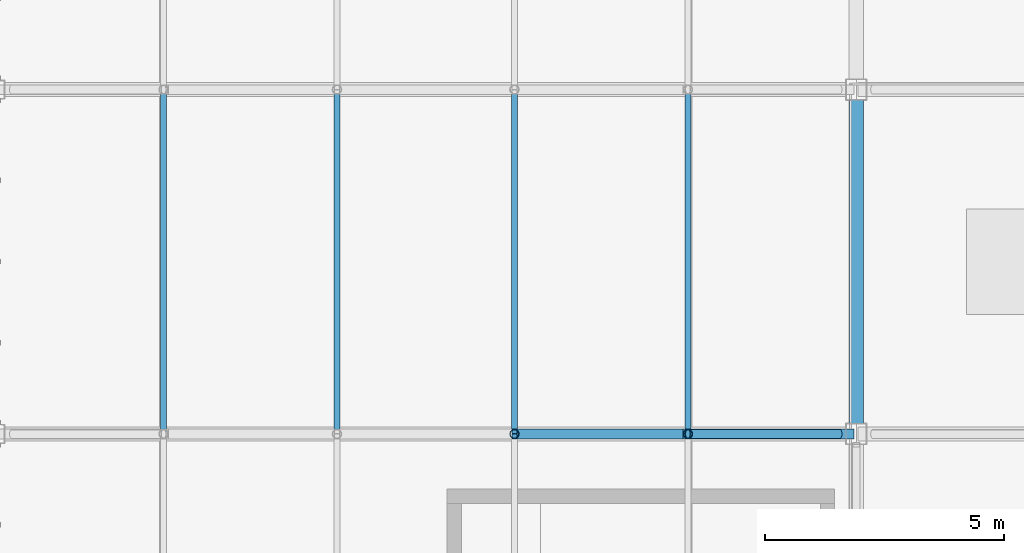
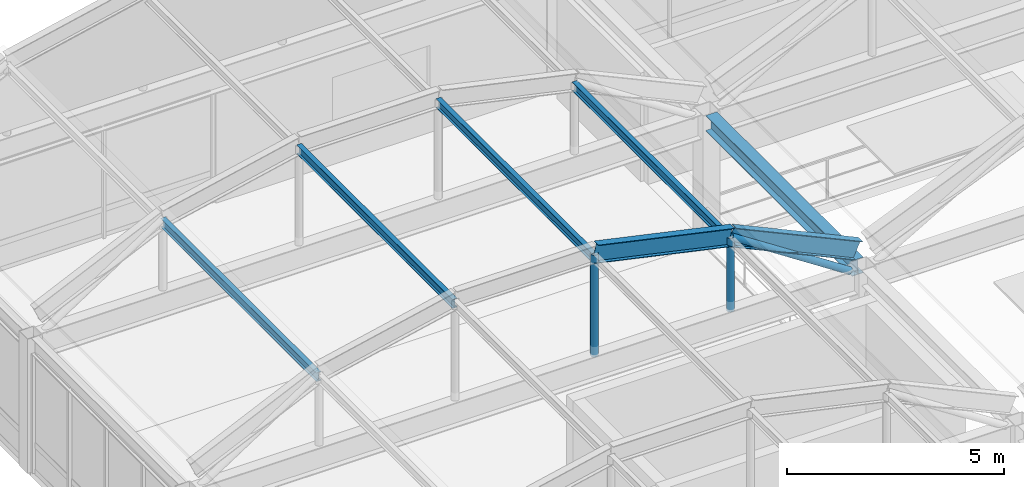
# One storey, part 28 of 106: 9 members, 1 beam.
"""IFC4 building model written with IfcOpenShell, lengths in metres."""

from ifc_helpers import new_model, si_unit, direction, frame, origin, origin_2d, place, context, subcontext, project, spatial, hollow_circle, i_section, extrude, material, material_profile, profile_set, type_object, element, save


model = new_model("IFC4")

# Units and contexts
model_context = context("Model", 3, precision=1e-05, world=origin(), true_north=direction((0.0, 1.0)))
body_context = subcontext(model_context, "Body", "Model", "MODEL_VIEW")
ifc_project = project(units=[si_unit("LENGTHUNIT", "METRE"), si_unit("AREAUNIT", "SQUARE_METRE"), si_unit("VOLUMEUNIT", "CUBIC_METRE"), si_unit("PLANEANGLEUNIT", "RADIAN"), si_unit("MASSUNIT", "GRAM", prefix="KILO")], contexts=[model_context])

# Site, building, storey
site_placement = place(None, origin())
site = spatial("IfcSite", under=ifc_project, at=site_placement, CompositionType="ELEMENT")
building_placement = place(site_placement, origin())
building = spatial("IfcBuilding", under=site, at=building_placement, Name="Kazanami Central Library", CompositionType="ELEMENT")
storey_placement = place(building_placement, frame((0.0, 0.0, 12.800048828125)))
storey = spatial("IfcBuildingStorey", under=building, at=storey_placement, Name="L04", CompositionType="ELEMENT", Elevation=12.800048828125)

# Beam
ifc_material_1 = material(Name="Steel SN490B (325 MPa)", Category="steel")
ifc_material_profile_1 = material_profile(ifc_material_1, i_section(OverallWidth=0.300048828125, OverallDepth=0.43994140625, WebThickness=0.010986328125, FlangeThickness=0.01806640625, at=origin_2d()), Name="H-440x300x11x18")
ifc_profile_set_1 = profile_set([ifc_material_profile_1], Name="Steel SN490B (325 MPa)")
beam_type = type_object("IfcBeamType", Name="BM-G-Y4", PredefinedType="BEAM", material=ifc_profile_set_1)
beam_placement = place(storey_placement, frame((63.0, 79.423095703125, 3.56005859375), z_axis=(0.0, 1.0, 0.0), x_axis=(-1.0, 0.0, 0.0)))
element("IfcBeam", 1, at=beam_placement, inside=storey, type_object=beam_type, Name="Girder G-Y4 L04 8/M-N", PredefinedType="BEAM", context=body_context, shape_type="SweptSolid", body=[
    extrude(i_section(OverallWidth=0.300048828125, OverallDepth=0.43994140625, WebThickness=0.010986328125, FlangeThickness=0.01806640625, at=origin_2d()), origin(), (0.0, 0.0, 1.0), 6.75390625),
])

# Members
ifc_material_profile_2 = material_profile(ifc_material_1, i_section(OverallWidth=0.199951171875, OverallDepth=0.5, WebThickness=0.010009765625, FlangeThickness=0.01611328125, at=origin_2d()), Name="H-500x200x10x16")
ifc_profile_set_2 = profile_set([ifc_material_profile_2], Name="Steel SN490B (325 MPa)")
member_type_1 = type_object("IfcMemberType", Name="MEM-AR-02", PredefinedType="CHORD", material=ifc_profile_set_2)
for number, where, z_axis, x_axis, name in (
    (2, (55.85546875, 79.199951171875, 6.604736328125), (0.976745687277, 0.0, -0.214401171606), (0.0, 1.0, 0.0), "Barrel Vault Arch Rib AR-02 VAULT-WEST Grid M Seg 4"),
    (3, (59.480224609375, 79.199951171875, 5.80908203125), (0.908074880538, 0.0, -0.41880784536), (0.0, 1.0, 0.0), "Barrel Vault Arch Rib AR-02 VAULT-WEST Grid M Seg 5"),
):
    element("IfcMember", number, at=place(storey_placement, frame(where, z_axis=z_axis, x_axis=x_axis)), inside=storey, type_object=member_type_1, Name=name, PredefinedType="CHORD", context=body_context, shape_type="SweptSolid", body=[
        extrude(i_section(OverallWidth=0.199951171875, OverallDepth=0.5, WebThickness=0.010009765625, FlangeThickness=0.01611328125, at=origin_2d()), origin(), (0.0, 0.0, 1.0), 3.7109375),
    ])
ifc_material_2 = material(Name="Steel SN400B (235 MPa)", Category="steel")
ifc_material_profile_3 = material_profile(ifc_material_2, i_section(OverallWidth=0.125, OverallDepth=0.25, WebThickness=0.006103515625, FlangeThickness=0.009033203125, at=origin_2d()), Name="H-250x125x6x9")
ifc_profile_set_3 = profile_set([ifc_material_profile_3], Name="Steel SN400B (235 MPa)")
member_type_2 = type_object("IfcMemberType", Name="MEM-PUR-250", PredefinedType="PURLIN", material=ifc_profile_set_3)
for number, where, z_axis, x_axis, name in (
    (4, (48.519775390625, 79.205078125, 5.669189453125), (0.0, 1.0, 0.0), (-1.0, 0.0, 0.0), "Barrel Vault Longitudinal Purlin VAULT-WEST Knuckle 1.3"),
    (5, (52.14453125, 79.205078125, 6.464599609375), (0.0, 1.0, 0.0), (-1.0, 0.0, 0.0), "Barrel Vault Longitudinal Purlin VAULT-WEST Knuckle 2.3"),
    (6, (55.85546875, 79.205078125, 6.464599609375), (0.0, 1.0, 0.0), (-1.0, 0.0, 0.0), "Barrel Vault Longitudinal Purlin VAULT-WEST Knuckle 3.3"),
    (7, (59.480224609375, 79.205078125, 5.669189453125), (0.0, 1.0, 0.0), (-1.0, 0.0, 0.0), "Barrel Vault Longitudinal Purlin VAULT-WEST Knuckle 4.3"),
):
    element("IfcMember", number, at=place(storey_placement, frame(where, z_axis=z_axis, x_axis=x_axis)), inside=storey, type_object=member_type_2, Name=name, PredefinedType="PURLIN", context=body_context, shape_type="SweptSolid", body=[
        extrude(i_section(OverallWidth=0.125, OverallDepth=0.25, WebThickness=0.006103515625, FlangeThickness=0.009033203125, at=origin_2d()), origin(), (0.0, 0.0, 1.0), 7.18994140625),
    ])
ifc_material_3 = material(Name="Steel STK490 (315 MPa)", Category="steel")
ifc_material_profile_4 = material_profile(ifc_material_3, hollow_circle(Radius=0.095458984375, WallThickness=0.007080078125, at=origin_2d()), Name="CHS-190.7x7.0")
ifc_profile_set_4 = profile_set([ifc_material_profile_4], Name="Steel STK490 (315 MPa)")
member_type_3 = type_object("IfcMemberType", Name="MEM-VST-190", PredefinedType="STRUT", material=ifc_profile_set_4)
member_1_placement = place(storey_placement, frame((55.85546875, 79.199951171875, 3.71484375), z_axis=(0.0, 0.0, 1.0), x_axis=(1.0, 0.0, 0.0)))
element("IfcMember", 8, at=member_1_placement, inside=storey, type_object=member_type_3, Name="Barrel Vault Tied-Arch Web Strut VAULT-WEST Grid M Knuckle 3", PredefinedType="STRUT", context=body_context, shape_type="SweptSolid", body=[
    extrude(hollow_circle(Radius=0.095458984375, WallThickness=0.007080078125, at=origin_2d()), origin(), (0.0, 0.0, 1.0), 2.869873046875),
])
member_2_placement = place(storey_placement, frame((59.480224609375, 79.199951171875, 3.71484375), z_axis=(0.0, 0.0, 1.0), x_axis=(1.0, 0.0, 0.0)))
element("IfcMember", 9, at=member_2_placement, inside=storey, type_object=member_type_3, Name="Barrel Vault Tied-Arch Web Strut VAULT-WEST Grid M Knuckle 4", PredefinedType="STRUT", context=body_context, shape_type="SweptSolid", body=[
    extrude(hollow_circle(Radius=0.095458984375, WallThickness=0.007080078125, at=origin_2d()), origin(), (0.0, 0.0, 1.0), 2.07421875),
])
member_3_placement = place(storey_placement, frame((62.64990234375, 79.199951171875, 3.71484375), z_axis=(-0.836759504137, 0.0, 0.547570572837), x_axis=(0.0, -1.0, 0.0)))
element("IfcMember", 10, at=member_3_placement, inside=storey, type_object=member_type_3, Name="Barrel Vault Tied-Arch Diagonal VAULT-WEST Grid M (R)", PredefinedType="BRACE", context=body_context, shape_type="SweptSolid", body=[
    extrude(hollow_circle(Radius=0.095458984375, WallThickness=0.007080078125, at=origin_2d()), origin(), (0.0, 0.0, 1.0), 3.7880859375),
])

save(model, "model.ifc")
